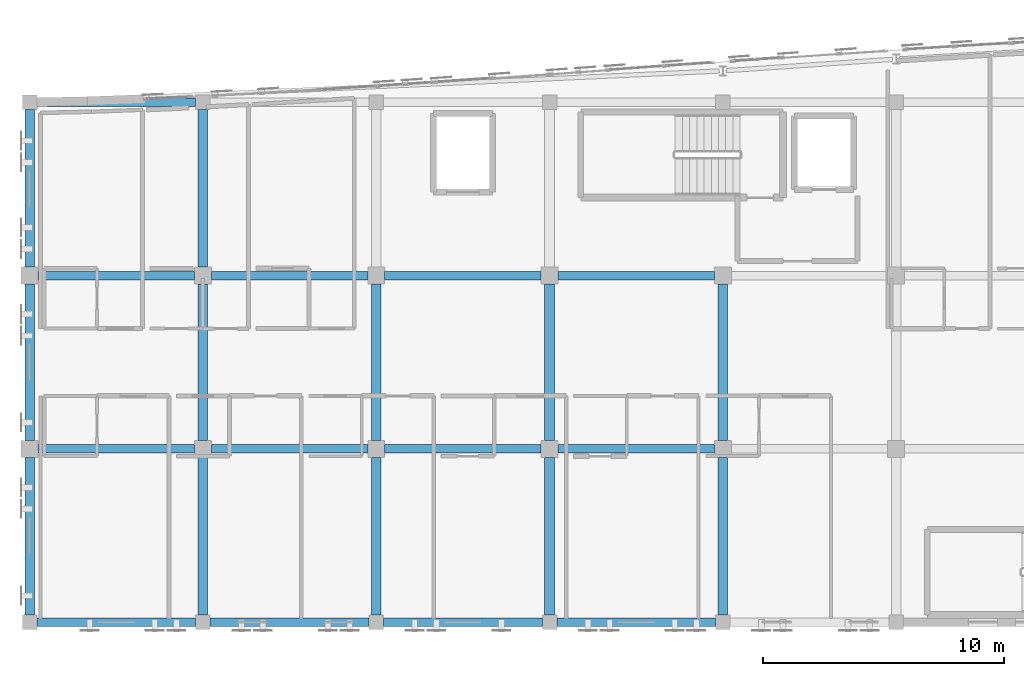
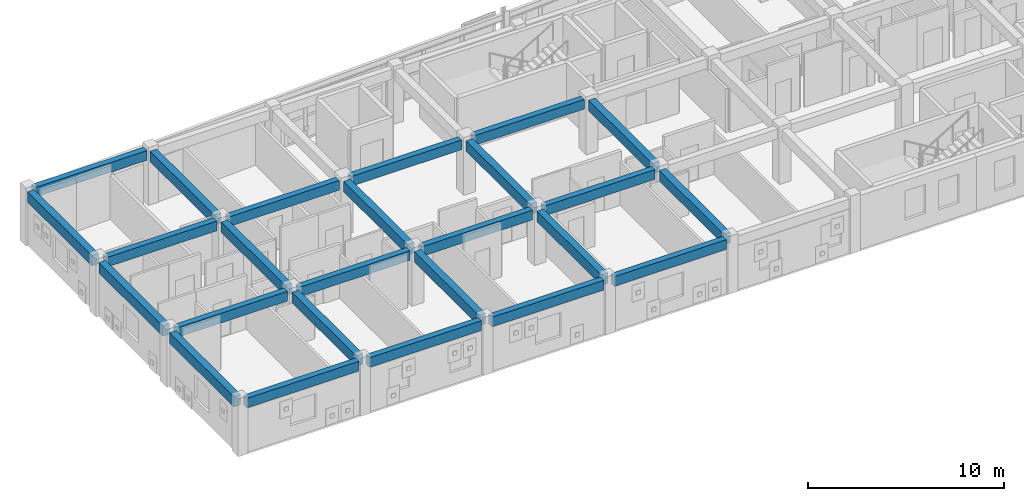
# One storey, part 5 of 48: 25 beams.
"""IFC4 building model written with IfcOpenShell, lengths in metres."""

from ifc_helpers import new_model, si_unit, direction, frame, origin, origin_2d, place, context, subcontext, project, spatial, rectangle, extrude, material, material_profile, profile_set, type_object, element, save


model = new_model("IFC4")

# Units and contexts
model_context = context("Model", 3, precision=1e-05, world=origin(), true_north=direction((0.0, 1.0)))
body_context = subcontext(model_context, "Body", "Model", "MODEL_VIEW")
ifc_project = project(units=[si_unit("LENGTHUNIT", "METRE"), si_unit("AREAUNIT", "SQUARE_METRE"), si_unit("VOLUMEUNIT", "CUBIC_METRE"), si_unit("PLANEANGLEUNIT", "RADIAN"), si_unit("MASSUNIT", "GRAM", prefix="KILO")], contexts=[model_context])

# Site, building, storey
site_placement = place(None, origin())
site = spatial("IfcSite", under=ifc_project, at=site_placement, CompositionType="ELEMENT")
building_placement = place(site_placement, origin())
building = spatial("IfcBuilding", under=site, at=building_placement, Name="Carrowvane Square Congress Hotel", CompositionType="ELEMENT")
storey_placement = place(building_placement, frame((0.0, 0.0, 26.39990234375)))
storey = spatial("IfcBuildingStorey", under=building, at=storey_placement, Name="L06", CompositionType="ELEMENT", Elevation=26.39990234375)

# Beams
ifc_material_1 = material(Name="Concrete C35/45", Category="concrete")
ifc_material_profile_1 = material_profile(ifc_material_1, rectangle(XDim=0.35009765625, YDim=0.60009765625, at=origin_2d()), Name="RC 350x600")
ifc_profile_set_1 = profile_set([ifc_material_profile_1], Name="Concrete C35/45")
beam_type_1 = type_object("IfcBeamType", Name="BM-RC-350x600", PredefinedType="BEAM", material=ifc_profile_set_1)
for number, where, z_axis, x_axis, name in (
    (1, (33.5, 91.800048828125, 3.050048828125), (1.0, 0.0, 0.0), (0.0, 1.0, 0.0), "L07 girder N/4-5"),
    (2, (40.699951171875, 91.800048828125, 3.050048828125), (1.0, 0.0, 0.0), (0.0, 1.0, 0.0), "L07 girder N/5-6"),
    (3, (47.89990234375, 91.800048828125, 3.050048828125), (1.0, 0.0, 0.0), (0.0, 1.0, 0.0), "L07 girder N/6-7"),
):
    element("IfcBeam", number, at=place(storey_placement, frame(where, z_axis=z_axis, x_axis=x_axis)), inside=storey, type_object=beam_type_1, Name=name, PredefinedType="BEAM", context=body_context, shape_type="SweptSolid", body=[
        extrude(rectangle(XDim=0.35009765625, YDim=0.60009765625, at=origin_2d()), origin(), (0.0, 0.0, 1.0), 6.60009765625),
    ])
beam_1_placement = place(storey_placement, frame((55.10009765625, 91.800048828125, 3.050048828125), z_axis=(1.0, 0.0, 0.0), x_axis=(0.0, 1.0, 0.0)))
element("IfcBeam", 4, at=beam_1_placement, inside=storey, type_object=beam_type_1, Name="L07 girder N/7-8", PredefinedType="BEAM", context=body_context, shape_type="SweptSolid", body=[
    extrude(rectangle(XDim=0.35009765625, YDim=0.60009765625, at=origin_2d()), origin(), (0.0, 0.0, 1.0), 6.599853515625),
])
for number, where, z_axis, x_axis, name in (
    (5, (33.550048828125, 99.0, 3.050048828125), (1.0, 0.0, 0.0), (0.0, 1.0, 0.0), "L07 girder P/4-5"),
    (6, (40.75, 99.0, 3.050048828125), (1.0, 0.0, 0.0), (0.0, 1.0, 0.0), "L07 girder P/5-6"),
    (7, (47.949951171875, 99.0, 3.050048828125), (1.0, 0.0, 0.0), (0.0, 1.0, 0.0), "L07 girder P/6-7"),
    (8, (55.14990234375, 99.0, 3.050048828125), (1.0, 0.0, 0.0), (0.0, 1.0, 0.0), "L07 girder P/7-8"),
    (9, (33.550048828125, 106.199951171875, 3.050048828125), (1.0, 0.0, 0.0), (0.0, 1.0, 0.0), "L07 girder Q/4-5"),
    (10, (40.75, 106.199951171875, 3.050048828125), (1.0, 0.0, 0.0), (0.0, 1.0, 0.0), "L07 girder Q/5-6"),
    (11, (47.949951171875, 106.199951171875, 3.050048828125), (1.0, 0.0, 0.0), (0.0, 1.0, 0.0), "L07 girder Q/6-7"),
    (12, (55.14990234375, 106.199951171875, 3.050048828125), (1.0, 0.0, 0.0), (0.0, 1.0, 0.0), "L07 girder Q/7-8"),
):
    element("IfcBeam", number, at=place(storey_placement, frame(where, z_axis=z_axis, x_axis=x_axis)), inside=storey, type_object=beam_type_1, Name=name, PredefinedType="BEAM", context=body_context, shape_type="SweptSolid", body=[
        extrude(rectangle(XDim=0.35009765625, YDim=0.60009765625, at=origin_2d()), origin(), (0.0, 0.0, 1.0), 6.5),
    ])
beam_2_placement = place(storey_placement, frame((33.5, 113.39990234375, 3.050048828125), z_axis=(1.0, 0.0, 0.0), x_axis=(0.0, 1.0, 0.0)))
element("IfcBeam", 13, at=beam_2_placement, inside=storey, type_object=beam_type_1, Name="L07 girder R/4-5", PredefinedType="BEAM", context=body_context, shape_type="SweptSolid", body=[
    extrude(rectangle(XDim=0.35009765625, YDim=0.60009765625, at=origin_2d()), origin(), (0.0, 0.0, 1.0), 6.60009765625),
])
ifc_material_2 = material(Name="Concrete C35/45", Category="concrete")
ifc_material_profile_2 = material_profile(ifc_material_2, rectangle(XDim=0.39990234375, YDim=0.64990234375, at=origin_2d()), Name="RC 400x650")
ifc_profile_set_2 = profile_set([ifc_material_profile_2], Name="Concrete C35/45")
beam_type_2 = type_object("IfcBeamType", Name="BM-RC-400x650", PredefinedType="BEAM", material=ifc_profile_set_2)
beam_3_placement = place(storey_placement, frame((33.199951171875, 92.10009765625, 3.025146484375), z_axis=(0.0, 1.0, 0.0), x_axis=(-1.0, 0.0, 0.0)))
element("IfcBeam", 14, at=beam_3_placement, inside=storey, type_object=beam_type_2, Name="L07 girder 4/N-P", PredefinedType="BEAM", context=body_context, shape_type="SweptSolid", body=[
    extrude(rectangle(XDim=0.39990234375, YDim=0.64990234375, at=origin_2d()), origin(), (0.0, 0.0, 1.0), 6.5498046875),
])
beam_4_placement = place(storey_placement, frame((33.199951171875, 99.35009765625, 3.025146484375), z_axis=(0.0, 1.0, 0.0), x_axis=(-1.0, 0.0, 0.0)))
element("IfcBeam", 15, at=beam_4_placement, inside=storey, type_object=beam_type_2, Name="L07 girder 4/P-Q", PredefinedType="BEAM", context=body_context, shape_type="SweptSolid", body=[
    extrude(rectangle(XDim=0.39990234375, YDim=0.64990234375, at=origin_2d()), origin(), (0.0, 0.0, 1.0), 6.5),
])
beam_5_placement = place(storey_placement, frame((33.199951171875, 106.550048828125, 3.025146484375), z_axis=(0.0, 1.0, 0.0), x_axis=(-1.0, 0.0, 0.0)))
element("IfcBeam", 16, at=beam_5_placement, inside=storey, type_object=beam_type_2, Name="L07 girder 4/Q-R", PredefinedType="BEAM", context=body_context, shape_type="SweptSolid", body=[
    extrude(rectangle(XDim=0.39990234375, YDim=0.64990234375, at=origin_2d()), origin(), (0.0, 0.0, 1.0), 6.550048828125),
])
beam_6_placement = place(storey_placement, frame((40.39990234375, 92.10009765625, 3.025146484375), z_axis=(0.0, 1.0, 0.0), x_axis=(-1.0, 0.0, 0.0)))
element("IfcBeam", 17, at=beam_6_placement, inside=storey, type_object=beam_type_2, Name="L07 girder 5/N-P", PredefinedType="BEAM", context=body_context, shape_type="SweptSolid", body=[
    extrude(rectangle(XDim=0.39990234375, YDim=0.64990234375, at=origin_2d()), origin(), (0.0, 0.0, 1.0), 6.5498046875),
])
beam_7_placement = place(storey_placement, frame((40.39990234375, 99.35009765625, 3.025146484375), z_axis=(0.0, 1.0, 0.0), x_axis=(-1.0, 0.0, 0.0)))
element("IfcBeam", 18, at=beam_7_placement, inside=storey, type_object=beam_type_2, Name="L07 girder 5/P-Q", PredefinedType="BEAM", context=body_context, shape_type="SweptSolid", body=[
    extrude(rectangle(XDim=0.39990234375, YDim=0.64990234375, at=origin_2d()), origin(), (0.0, 0.0, 1.0), 6.5),
])
beam_8_placement = place(storey_placement, frame((40.39990234375, 106.550048828125, 3.025146484375), z_axis=(0.0, 1.0, 0.0), x_axis=(-1.0, 0.0, 0.0)))
element("IfcBeam", 19, at=beam_8_placement, inside=storey, type_object=beam_type_2, Name="L07 girder 5/Q-R", PredefinedType="BEAM", context=body_context, shape_type="SweptSolid", body=[
    extrude(rectangle(XDim=0.39990234375, YDim=0.64990234375, at=origin_2d()), origin(), (0.0, 0.0, 1.0), 6.550048828125),
])
beam_9_placement = place(storey_placement, frame((47.60009765625, 92.10009765625, 3.025146484375), z_axis=(0.0, 1.0, 0.0), x_axis=(-1.0, 0.0, 0.0)))
element("IfcBeam", 20, at=beam_9_placement, inside=storey, type_object=beam_type_2, Name="L07 girder 6/N-P", PredefinedType="BEAM", context=body_context, shape_type="SweptSolid", body=[
    extrude(rectangle(XDim=0.39990234375, YDim=0.64990234375, at=origin_2d()), origin(), (0.0, 0.0, 1.0), 6.5498046875),
])
beam_10_placement = place(storey_placement, frame((47.60009765625, 99.35009765625, 3.025146484375), z_axis=(0.0, 1.0, 0.0), x_axis=(-1.0, 0.0, 0.0)))
element("IfcBeam", 21, at=beam_10_placement, inside=storey, type_object=beam_type_2, Name="L07 girder 6/P-Q", PredefinedType="BEAM", context=body_context, shape_type="SweptSolid", body=[
    extrude(rectangle(XDim=0.39990234375, YDim=0.64990234375, at=origin_2d()), origin(), (0.0, 0.0, 1.0), 6.5),
])
beam_11_placement = place(storey_placement, frame((54.800048828125, 92.10009765625, 3.025146484375), z_axis=(0.0, 1.0, 0.0), x_axis=(-1.0, 0.0, 0.0)))
element("IfcBeam", 22, at=beam_11_placement, inside=storey, type_object=beam_type_2, Name="L07 girder 7/N-P", PredefinedType="BEAM", context=body_context, shape_type="SweptSolid", body=[
    extrude(rectangle(XDim=0.39990234375, YDim=0.64990234375, at=origin_2d()), origin(), (0.0, 0.0, 1.0), 6.5498046875),
])
beam_12_placement = place(storey_placement, frame((54.800048828125, 99.35009765625, 3.025146484375), z_axis=(0.0, 1.0, 0.0), x_axis=(-1.0, 0.0, 0.0)))
element("IfcBeam", 23, at=beam_12_placement, inside=storey, type_object=beam_type_2, Name="L07 girder 7/P-Q", PredefinedType="BEAM", context=body_context, shape_type="SweptSolid", body=[
    extrude(rectangle(XDim=0.39990234375, YDim=0.64990234375, at=origin_2d()), origin(), (0.0, 0.0, 1.0), 6.5),
])
beam_13_placement = place(storey_placement, frame((62.0, 92.10009765625, 3.025146484375), z_axis=(0.0, 1.0, 0.0), x_axis=(-1.0, 0.0, 0.0)))
element("IfcBeam", 24, at=beam_13_placement, inside=storey, type_object=beam_type_2, Name="L07 girder 8/N-P", PredefinedType="BEAM", context=body_context, shape_type="SweptSolid", body=[
    extrude(rectangle(XDim=0.39990234375, YDim=0.64990234375, at=origin_2d()), origin(), (0.0, 0.0, 1.0), 6.5498046875),
])
beam_14_placement = place(storey_placement, frame((62.0, 99.35009765625, 3.025146484375), z_axis=(0.0, 1.0, 0.0), x_axis=(-1.0, 0.0, 0.0)))
element("IfcBeam", 25, at=beam_14_placement, inside=storey, type_object=beam_type_2, Name="L07 girder 8/P-Q", PredefinedType="BEAM", context=body_context, shape_type="SweptSolid", body=[
    extrude(rectangle(XDim=0.39990234375, YDim=0.64990234375, at=origin_2d()), origin(), (0.0, 0.0, 1.0), 6.5),
])

save(model, "model.ifc")
